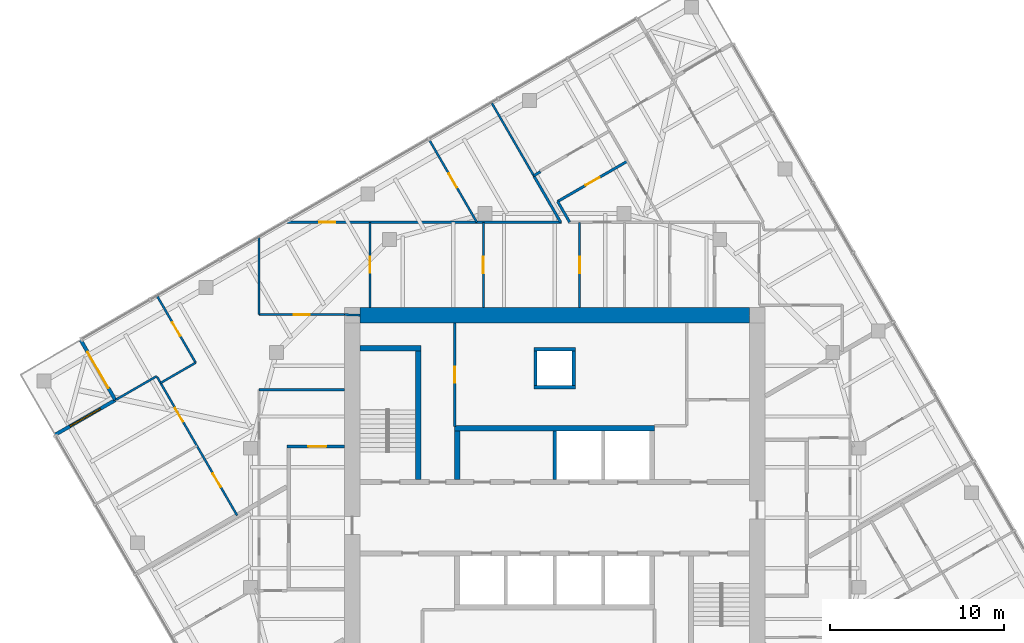
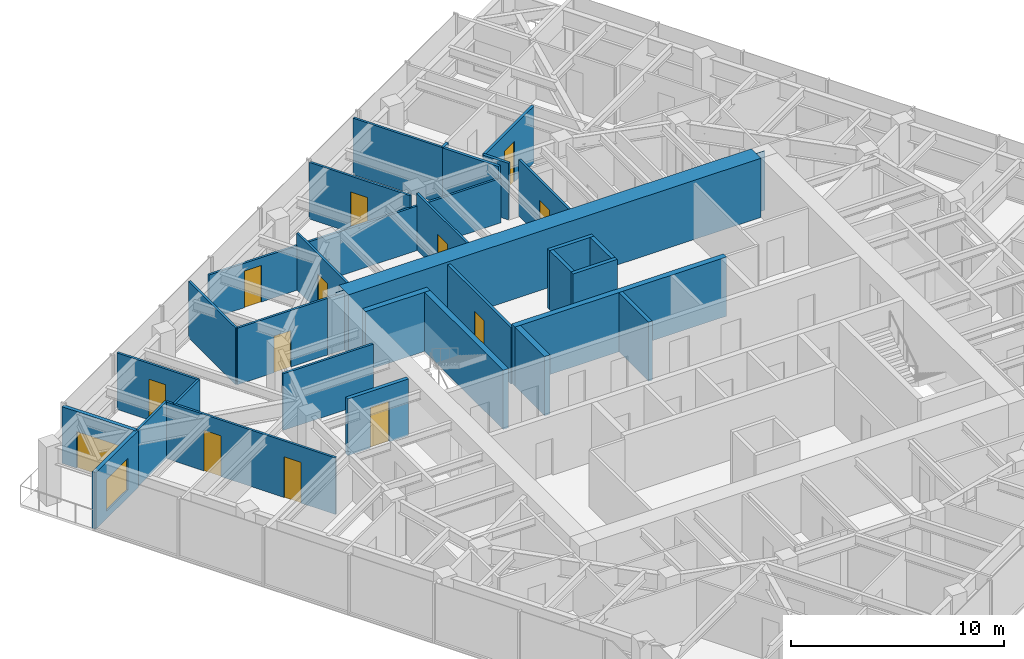
# One storey, part 10 of 13: 32 walls, 13 doors, 1 window, 14 openings.
"""IFC4 building model written with IfcOpenShell, lengths in metres."""

from ifc_helpers import new_model, si_unit, direction, frame, frame_2d, origin, place, context, subcontext, project, spatial, polyline, rectangle, outline, extrude, material, layer, layer_set, type_object, element, fill, save


model = new_model("IFC4")

# Units and contexts
model_context = context("Model", 3, precision=1e-05, world=origin(), true_north=direction((0.0, 1.0)))
body_context = subcontext(model_context, "Body", "Model", "MODEL_VIEW")
ifc_project = project(units=[si_unit("LENGTHUNIT", "METRE"), si_unit("AREAUNIT", "SQUARE_METRE"), si_unit("VOLUMEUNIT", "CUBIC_METRE"), si_unit("PLANEANGLEUNIT", "RADIAN"), si_unit("MASSUNIT", "GRAM", prefix="KILO")], contexts=[model_context])

# Site, building, storey
site_placement = place(None, origin())
site = spatial("IfcSite", under=ifc_project, at=site_placement, CompositionType="ELEMENT")
building_placement = place(site_placement, origin())
building = spatial("IfcBuilding", under=site, at=building_placement, Name="Torsade Residences", CompositionType="ELEMENT")
storey_placement = place(building_placement, frame((0.0, 0.0, 208.199951171875)))
storey = spatial("IfcBuildingStorey", under=building, at=storey_placement, Name="L57", CompositionType="ELEMENT", Elevation=208.199951171875)

# Walls
ifc_material_1 = material(Name="Concrete 80 MPa", Category="concrete")
ifc_layer_1 = layer(ifc_material_1, 0.300048828125)
ifc_layer_set_1 = layer_set([ifc_layer_1], Name="Concrete 80 MPa")
wall_type_1 = type_object("IfcWallType", Name="CORE INTERNAL WALL 300", PredefinedType="SHEAR", material=ifc_layer_set_1)
wall_1_placement = place(storey_placement, frame((34.25, 35.14990234375, 0.0), z_axis=(0.0, 0.0, 1.0), x_axis=(1.0, 0.0, 0.0)))
element("IfcWall", 1, at=wall_1_placement, inside=storey, type_object=wall_type_1, Name="Core wall BN L57", PredefinedType="SHEAR", context=body_context, shape_type="SweptSolid", body=[
    extrude(rectangle(XDim=11.5, YDim=0.300048828125, at=frame_2d((5.75, 0.0))), origin(), (0.0, 0.0, 1.0), 3.400146484375),
])
wall_2_placement = place(storey_placement, frame((34.39990234375, 32.199951171875, 0.0), z_axis=(0.0, 0.0, 1.0), x_axis=(0.0, 1.0, 0.0)))
element("IfcWall", 2, at=wall_2_placement, inside=storey, type_object=wall_type_1, Name="Core wall DN0 L57", PredefinedType="SHEAR", context=body_context, shape_type="SweptSolid", body=[
    extrude(rectangle(XDim=2.800048828125, YDim=0.300048828125, at=frame_2d((1.39990234375, 0.0))), origin(), (0.0, 0.0, 1.0), 3.400146484375),
])
wall_3_placement = place(storey_placement, frame((32.14990234375, 32.199951171875, 0.0), z_axis=(0.0, 0.0, 1.0), x_axis=(0.0, 1.0, 0.0)))
element("IfcWall", 3, at=wall_3_placement, inside=storey, type_object=wall_type_1, Name="Core wall ST1E L57", PredefinedType="SHEAR", context=body_context, shape_type="SweptSolid", body=[
    extrude(rectangle(XDim=7.699951171875, YDim=0.300048828125, at=frame_2d((3.85009765625, 0.0))), origin(), (0.0, 0.0, 1.0), 3.400146484375),
])
wall_4_placement = place(storey_placement, frame((28.800048828125, 39.75, 0.0), z_axis=(0.0, 0.0, 1.0), x_axis=(1.0, 0.0, 0.0)))
element("IfcWall", 4, at=wall_4_placement, inside=storey, type_object=wall_type_1, Name="Core wall ST1N L57", PredefinedType="SHEAR", context=body_context, shape_type="SweptSolid", body=[
    extrude(rectangle(XDim=3.5, YDim=0.300048828125, at=frame_2d((1.75, 0.0))), origin(), (0.0, 0.0, 1.0), 3.400146484375),
])
ifc_material_2 = material(Name="Concrete 80 MPa", Category="concrete")
ifc_layer_2 = layer(ifc_material_2, 0.89990234375)
ifc_layer_set_2 = layer_set([ifc_layer_2], Name="Concrete 80 MPa")
wall_type_2 = type_object("IfcWallType", Name="CORE WALL 900", PredefinedType="SHEAR", material=ifc_layer_set_2)
wall_5_placement = place(storey_placement, frame((28.800048828125, 41.64990234375, 0.0), z_axis=(0.0, 0.0, 1.0), x_axis=(1.0, 0.0, 0.0)))
element("IfcWall", 5, at=wall_5_placement, inside=storey, type_object=wall_type_2, Name="Core wall N L57", PredefinedType="SHEAR", context=body_context, shape_type="SweptSolid", body=[
    extrude(outline(polyline([(0.0, -0.449951171875), (22.39990234375, -0.449951171875), (22.39990234375, -0.02490234375), (22.849853515625, -0.02490234375), (22.849853515625, 0.02490234375), (22.39990234375, 0.02490234375), (22.39990234375, 0.449951171875), (0.0, 0.449951171875), (0.0, 0.02490234375), (-0.449951171875, 0.02490234375), (-0.449951171875, -0.02490234375), (0.0, -0.02490234375), (0.0, -0.449951171875)])), origin(), (0.0, 0.0, 1.0), 3.400146484375),
])

# Wall, opening, door
ifc_material_3 = material(Name="Plasterboard on steel stud", Category="steel")
ifc_layer_3 = layer(ifc_material_3, 0.199951171875)
ifc_layer_set_3 = layer_set([ifc_layer_3], Name="Plasterboard on steel stud")
wall_type_3 = type_object("IfcWallType", Name="CORRIDOR WALL 200", PredefinedType="PARTITIONING", material=ifc_layer_set_3)
wall_6_placement = place(storey_placement, frame((27.89990234375, 34.10009765625, 0.0), z_axis=(0.0, 0.0, 1.0), x_axis=(-1.0, 0.0, 0.0)))
wall_6 = element("IfcWall", 6, at=wall_6_placement, inside=storey, type_object=wall_type_3, Name="Corridor wall L57", PredefinedType="PARTITIONING", context=body_context, shape_type="SweptSolid", body=[
    extrude(rectangle(XDim=3.2998046875, YDim=0.199951171875, at=frame_2d((1.64990234375, 0.0))), origin(), (0.0, 0.0, 1.0), 3.25),
])
opening_1_placement = place(wall_6_placement, frame((1.0400390625, 0.0, 0.0)))
opening_1 = element("IfcOpeningElement", 7, at=opening_1_placement, cuts=wall_6, Name="Opening D01", PredefinedType="OPENING", context=body_context, shape_type="SweptSolid", body=[
    extrude(rectangle(XDim=1.02001953125, YDim=2.340087890625, at=frame_2d((0.510009765625, 1.169921875))), frame((0.0, 0.10986328125, 0.0), z_axis=(0.0, -1.0, 0.0), x_axis=(1.0, 0.0, 0.0)), (0.0, 0.0, 1.0), 0.219970703125),
])
ifc_material_4 = material(Name="Solid-core timber fire door", Category="wood")
door_type_1 = type_object("IfcDoorType", Name="APARTMENT ENTRY DOOR 1020x2340", OperationType="NOTDEFINED", PredefinedType="DOOR", material=ifc_material_4)
door_1_placement = place(opening_1_placement, origin())
door_1 = element("IfcDoor", 8, at=door_1_placement, inside=storey, type_object=door_type_1, Name="Door Residential corridor to Kitchen and dining", OperationType="SINGLE_SWING_RIGHT", OverallHeight=2.340087890625, OverallWidth=1.02001953125, PredefinedType="DOOR", context=body_context, shape_type="SweptSolid", body=[
    extrude(rectangle(XDim=1.02001953125, YDim=2.340087890625, at=frame_2d((0.510009765625, 1.169921875))), frame((0.0, 0.02490234375, 0.0), z_axis=(0.0, -1.0, 0.0), x_axis=(1.0, 0.0, 0.0)), (0.0, 0.0, 1.0), 0.050048828125),
])
fill(opening_1, door_1)

# Walls
ifc_material_5 = material(Name="Reinforced blockwork", Category="masonry")
ifc_layer_4 = layer(ifc_material_5, 0.199951171875)
ifc_layer_set_4 = layer_set([ifc_layer_4], Name="Reinforced blockwork")
wall_type_4 = type_object("IfcWallType", Name="LIFT SHAFT DIVIDING WALL 200", PredefinedType="SOLIDWALL", material=ifc_layer_set_4)
wall_7_placement = place(storey_placement, frame((40.0, 32.199951171875, 0.0), z_axis=(0.0, 0.0, 1.0), x_axis=(0.0, 1.0, 0.0)))
element("IfcWall", 9, at=wall_7_placement, inside=storey, type_object=wall_type_4, Name="Core wall DN2 L57", PredefinedType="SOLIDWALL", context=body_context, shape_type="SweptSolid", body=[
    extrude(rectangle(XDim=2.800048828125, YDim=0.199951171875, at=frame_2d((1.39990234375, 0.0))), origin(), (0.0, 0.0, 1.0), 3.400146484375),
])
ifc_material_6 = material(Name="Plasterboard on steel stud", Category="steel")
ifc_layer_5 = layer(ifc_material_6, 0.1201171875)
ifc_layer_set_5 = layer_set([ifc_layer_5], Name="Plasterboard on steel stud")
wall_type_5 = type_object("IfcWallType", Name="PARTITION 120", PredefinedType="PARTITIONING", material=ifc_layer_set_5)
wall_8_placement = place(storey_placement, frame((23.0, 37.365478515625, 0.0), z_axis=(0.0, 0.0, 1.0), x_axis=(1.0, 0.0, 0.0)))
element("IfcWall", 10, at=wall_8_placement, inside=storey, type_object=wall_type_5, Name="Partition L57", PredefinedType="PARTITIONING", context=body_context, shape_type="SweptSolid", body=[
    extrude(rectangle(XDim=4.89990234375, YDim=0.1201171875, at=frame_2d((2.449951171875, 0.0))), origin(), (0.0, 0.0, 1.0), 3.25),
])

# Wall, opening, door
wall_9_placement = place(storey_placement, frame((29.380615234375, 47.0, 0.0), z_axis=(0.0, 0.0, 1.0), x_axis=(0.0, -1.0, 0.0)))
wall_9 = element("IfcWall", 11, at=wall_9_placement, inside=storey, type_object=wall_type_5, Name="Partition L57", PredefinedType="PARTITIONING", context=body_context, shape_type="SweptSolid", body=[
    extrude(rectangle(XDim=4.89990234375, YDim=0.1201171875, at=frame_2d((2.449951171875, 0.0))), origin(), (0.0, 0.0, 1.0), 3.25),
])
opening_2_placement = place(wall_9_placement, frame((1.989990234375, 0.0, 0.0)))
opening_2 = element("IfcOpeningElement", 12, at=opening_2_placement, cuts=wall_9, Name="Opening D02L", PredefinedType="OPENING", context=body_context, shape_type="SweptSolid", body=[
    extrude(rectangle(XDim=0.919921875, YDim=2.10009765625, at=frame_2d((0.4599609375, 1.050048828125))), frame((0.0, 0.070068359375, 0.0), z_axis=(0.0, -1.0, 0.0), x_axis=(1.0, 0.0, 0.0)), (0.0, 0.0, 1.0), 0.14013671875),
])
ifc_material_7 = material(Name="Hollow-core timber door", Category="wood")
door_type_2 = type_object("IfcDoorType", Name="INTERNAL DOOR 920x2100", OperationType="NOTDEFINED", PredefinedType="DOOR", material=ifc_material_7)
door_2_placement = place(opening_2_placement, origin())
door_2 = element("IfcDoor", 13, at=door_2_placement, inside=storey, type_object=door_type_2, Name="Door Scullery to Pantry", OperationType="SINGLE_SWING_LEFT", OverallHeight=2.10009765625, OverallWidth=0.919921875, PredefinedType="DOOR", context=body_context, shape_type="SweptSolid", body=[
    extrude(rectangle(XDim=0.919921875, YDim=2.10009765625, at=frame_2d((0.4599609375, 1.050048828125))), frame((0.0, 0.02490234375, 0.0), z_axis=(0.0, -1.0, 0.0), x_axis=(1.0, 0.0, 0.0)), (0.0, 0.0, 1.0), 0.050048828125),
])
fill(opening_2, door_2)

wall_10_placement = place(storey_placement, frame((27.89990234375, 41.686767578125, 0.0), z_axis=(0.0, 0.0, 1.0), x_axis=(-1.0, 0.0, 0.0)))
wall_10 = element("IfcWall", 14, at=wall_10_placement, inside=storey, type_object=wall_type_5, Name="Partition L57", PredefinedType="PARTITIONING", context=body_context, shape_type="SweptSolid", body=[
    extrude(rectangle(XDim=4.89990234375, YDim=0.1201171875, at=frame_2d((2.449951171875, 0.0))), origin(), (0.0, 0.0, 1.0), 3.25),
])
opening_3_placement = place(wall_10_placement, frame((1.989990234375, 0.0, 0.0)))
opening_3 = element("IfcOpeningElement", 15, at=opening_3_placement, cuts=wall_10, Name="Opening D02L", PredefinedType="OPENING", context=body_context, shape_type="SweptSolid", body=[
    extrude(rectangle(XDim=0.919921875, YDim=2.10009765625, at=frame_2d((0.4599609375, 1.050048828125))), frame((0.0, 0.070068359375, 0.0), z_axis=(0.0, -1.0, 0.0), x_axis=(1.0, 0.0, 0.0)), (0.0, 0.0, 1.0), 0.14013671875),
])
door_3_placement = place(opening_3_placement, origin())
door_3 = element("IfcDoor", 16, at=door_3_placement, inside=storey, type_object=door_type_2, Name="Door Living room to Scullery", OperationType="SINGLE_SWING_LEFT", OverallHeight=2.10009765625, OverallWidth=0.919921875, PredefinedType="DOOR", context=body_context, shape_type="SweptSolid", body=[
    extrude(rectangle(XDim=0.919921875, YDim=2.10009765625, at=frame_2d((0.4599609375, 1.050048828125))), frame((0.0, 0.02490234375, 0.0), z_axis=(0.0, -1.0, 0.0), x_axis=(1.0, 0.0, 0.0)), (0.0, 0.0, 1.0), 0.050048828125),
])
fill(opening_3, door_3)

# Wall
wall_11_placement = place(storey_placement, frame((23.0, 41.686767578125, 0.0), z_axis=(0.0, 0.0, 1.0), x_axis=(0.0, 1.0, 0.0)))
element("IfcWall", 17, at=wall_11_placement, inside=storey, type_object=wall_type_5, Name="Partition L57", PredefinedType="PARTITIONING", context=body_context, shape_type="SweptSolid", body=[
    extrude(rectangle(XDim=4.432861328125, YDim=0.1201171875, at=frame_2d((2.21630859375, 0.0))), origin(), (0.0, 0.0, 1.0), 3.25),
])

# Wall, opening, door
wall_12_placement = place(storey_placement, frame((24.52490234375, 47.0, 0.0), z_axis=(0.0, 0.0, 1.0), x_axis=(1.0, 0.0, 0.0)))
wall_12 = element("IfcWall", 18, at=wall_12_placement, inside=storey, type_object=wall_type_5, Name="Partition L57", PredefinedType="PARTITIONING", context=body_context, shape_type="SweptSolid", body=[
    extrude(rectangle(XDim=15.879150390625, YDim=0.1201171875, at=frame_2d((7.939453125, 0.0))), origin(), (0.0, 0.0, 1.0), 2.550048828125),
])
opening_4_placement = place(wall_12_placement, frame((1.927978515625, 0.0, 0.0)))
opening_4 = element("IfcOpeningElement", 19, at=opening_4_placement, cuts=wall_12, Name="Opening D02L", PredefinedType="OPENING", context=body_context, shape_type="SweptSolid", body=[
    extrude(rectangle(XDim=0.919921875, YDim=2.10009765625, at=frame_2d((0.4599609375, 1.050048828125))), frame((0.0, 0.070068359375, 0.0), z_axis=(0.0, -1.0, 0.0), x_axis=(1.0, 0.0, 0.0)), (0.0, 0.0, 1.0), 0.14013671875),
])
door_4_placement = place(opening_4_placement, origin())
door_4 = element("IfcDoor", 20, at=door_4_placement, inside=storey, type_object=door_type_2, Name="Door Scullery to Study", OperationType="SINGLE_SWING_RIGHT", OverallHeight=2.10009765625, OverallWidth=0.919921875, PredefinedType="DOOR", context=body_context, shape_type="SweptSolid", body=[
    extrude(rectangle(XDim=0.919921875, YDim=2.10009765625, at=frame_2d((0.4599609375, 1.050048828125))), frame((0.0, 0.02490234375, 0.0), z_axis=(0.0, -1.0, 0.0), x_axis=(1.0, 0.0, 0.0)), (0.0, 0.0, 1.0), 0.050048828125),
])
fill(opening_4, door_4)

wall_13_placement = place(storey_placement, frame((35.90087890625, 47.0, 0.0), z_axis=(0.0, 0.0, 1.0), x_axis=(0.0, -1.0, 0.0)))
wall_13 = element("IfcWall", 21, at=wall_13_placement, inside=storey, type_object=wall_type_5, Name="Partition L57", PredefinedType="PARTITIONING", context=body_context, shape_type="SweptSolid", body=[
    extrude(rectangle(XDim=4.89990234375, YDim=0.1201171875, at=frame_2d((2.449951171875, 0.0))), origin(), (0.0, 0.0, 1.0), 3.25),
])
opening_5_placement = place(wall_13_placement, frame((1.969970703125, 0.0, 0.0)))
opening_5 = element("IfcOpeningElement", 22, at=opening_5_placement, cuts=wall_13, Name="Opening D05", PredefinedType="OPENING", context=body_context, shape_type="SweptSolid", body=[
    extrude(rectangle(XDim=0.9599609375, YDim=2.10009765625, at=frame_2d((0.47998046875, 1.050048828125))), frame((0.0, 0.070068359375, 0.0), z_axis=(0.0, -1.0, 0.0), x_axis=(1.0, 0.0, 0.0)), (0.0, 0.0, 1.0), 0.14013671875),
])
ifc_material_8 = material(Name="Hollow-core timber door in a steel cavity frame", Category="steel")
door_type_3 = type_object("IfcDoorType", Name="BATHROOM CAVITY SLIDING DOOR 960", OperationType="SLIDING_TO_LEFT", PredefinedType="DOOR", material=ifc_material_8)
door_5_placement = place(opening_5_placement, origin())
door_5 = element("IfcDoor", 23, at=door_5_placement, inside=storey, type_object=door_type_3, Name="Door Pantry to Laundry", OperationType="SLIDING_TO_LEFT", OverallHeight=2.10009765625, OverallWidth=0.9599609375, PredefinedType="DOOR", context=body_context, shape_type="SweptSolid", body=[
    extrude(rectangle(XDim=0.9599609375, YDim=2.10009765625, at=frame_2d((0.47998046875, 1.050048828125))), frame((0.0, 0.02490234375, 0.0), z_axis=(0.0, -1.0, 0.0), x_axis=(1.0, 0.0, 0.0)), (0.0, 0.0, 1.0), 0.050048828125),
])
fill(opening_5, door_5)

wall_14_placement = place(storey_placement, frame((41.44287109375, 42.10009765625, 0.0), z_axis=(0.0, 0.0, 1.0), x_axis=(0.0, 1.0, 0.0)))
wall_14 = element("IfcWall", 24, at=wall_14_placement, inside=storey, type_object=wall_type_5, Name="Partition L57", PredefinedType="PARTITIONING", context=body_context, shape_type="SweptSolid", body=[
    extrude(rectangle(XDim=4.89990234375, YDim=0.1201171875, at=frame_2d((2.449951171875, 0.0))), origin(), (0.0, 0.0, 1.0), 3.25),
])
opening_6_placement = place(wall_14_placement, frame((1.969970703125, 0.0, 0.0)))
opening_6 = element("IfcOpeningElement", 25, at=opening_6_placement, cuts=wall_14, Name="Opening D05", PredefinedType="OPENING", context=body_context, shape_type="SweptSolid", body=[
    extrude(rectangle(XDim=0.9599609375, YDim=2.10009765625, at=frame_2d((0.47998046875, 1.050048828125))), frame((0.0, 0.070068359375, 0.0), z_axis=(0.0, -1.0, 0.0), x_axis=(1.0, 0.0, 0.0)), (0.0, 0.0, 1.0), 0.14013671875),
])
door_6_placement = place(opening_6_placement, origin())
door_6 = element("IfcDoor", 26, at=door_6_placement, inside=storey, type_object=door_type_3, Name="Door Laundry to Ensuite", OperationType="SLIDING_TO_LEFT", OverallHeight=2.10009765625, OverallWidth=0.9599609375, PredefinedType="DOOR", context=body_context, shape_type="SweptSolid", body=[
    extrude(rectangle(XDim=0.9599609375, YDim=2.10009765625, at=frame_2d((0.47998046875, 1.050048828125))), frame((0.0, 0.02490234375, 0.0), z_axis=(0.0, -1.0, 0.0), x_axis=(1.0, 0.0, 0.0)), (0.0, 0.0, 1.0), 0.050048828125),
])
fill(opening_6, door_6)

# Wall, openings, doors
wall_15_placement = place(storey_placement, frame((21.732666015625, 30.13427734375, 0.0), z_axis=(0.0, 0.0, 1.0), x_axis=(-0.500019218905, 0.86601430746, 0.0)))
wall_15 = element("IfcWall", 27, at=wall_15_placement, inside=storey, type_object=wall_type_5, Name="Partition L57", PredefinedType="PARTITIONING", context=body_context, shape_type="SweptSolid", body=[
    extrude(rectangle(XDim=9.210205078125, YDim=0.1201171875, at=frame_2d((4.60498046875, 0.0))), origin(), (0.0, 0.0, 1.0), 3.25),
])
opening_7_placement = place(wall_15_placement, frame((1.87744140625, 0.0, 0.0)))
opening_7 = element("IfcOpeningElement", 28, at=opening_7_placement, cuts=wall_15, Name="Opening D02", PredefinedType="OPENING", context=body_context, shape_type="SweptSolid", body=[
    extrude(rectangle(XDim=0.919921875, YDim=2.340087890625, at=frame_2d((0.4599609375, 1.169921875))), frame((0.0, 0.070068359375, 0.0), z_axis=(0.0, -1.0, 0.0), x_axis=(1.0, 0.0, 0.0)), (0.0, 0.0, 1.0), 0.14013671875),
])
opening_8_placement = place(wall_15_placement, frame((6.2275390625, 0.0, 0.0)))
opening_8 = element("IfcOpeningElement", 29, at=opening_8_placement, cuts=wall_15, Name="Opening D02", PredefinedType="OPENING", context=body_context, shape_type="SweptSolid", body=[
    extrude(rectangle(XDim=0.919921875, YDim=2.340087890625, at=frame_2d((0.4599609375, 1.169921875))), frame((0.0, 0.070068359375, 0.0), z_axis=(0.0, -1.0, 0.0), x_axis=(1.0, 0.0, 0.0)), (0.0, 0.0, 1.0), 0.14013671875),
])
ifc_material_9 = material(Name="Hollow-core timber door", Category="wood")
door_type_4 = type_object("IfcDoorType", Name="INTERNAL DOOR 920x2340", OperationType="NOTDEFINED", PredefinedType="DOOR", material=ifc_material_9)
door_7_placement = place(opening_7_placement, origin())
door_7 = element("IfcDoor", 30, at=door_7_placement, inside=storey, type_object=door_type_4, Name="Door Living room to Bedroom 3", OperationType="SINGLE_SWING_RIGHT", OverallHeight=2.340087890625, OverallWidth=0.919921875, PredefinedType="DOOR", context=body_context, shape_type="SweptSolid", body=[
    extrude(rectangle(XDim=0.919921875, YDim=2.340087890625, at=frame_2d((0.4599609375, 1.169921875))), frame((0.0, 0.02490234375, 0.0), z_axis=(0.0, -1.0, 0.0), x_axis=(1.0, 0.0, 0.0)), (0.0, 0.0, 1.0), 0.050048828125),
])
fill(opening_7, door_7)
door_8_placement = place(opening_8_placement, origin())
door_8 = element("IfcDoor", 31, at=door_8_placement, inside=storey, type_object=door_type_4, Name="Door Living room to Bedroom 4", OperationType="SINGLE_SWING_LEFT", OverallHeight=2.340087890625, OverallWidth=0.919921875, PredefinedType="DOOR", context=body_context, shape_type="SweptSolid", body=[
    extrude(rectangle(XDim=0.919921875, YDim=2.340087890625, at=frame_2d((0.4599609375, 1.169921875))), frame((0.0, 0.02490234375, 0.0), z_axis=(0.0, -1.0, 0.0), x_axis=(1.0, 0.0, 0.0)), (0.0, 0.0, 1.0), 0.050048828125),
])
fill(opening_8, door_8)

# Wall
wall_16_placement = place(storey_placement, frame((17.33251953125, 37.75537109375, 0.0), z_axis=(0.0, 0.0, 1.0), x_axis=(0.866059848015, 0.499940336097, 0.0)))
element("IfcWall", 32, at=wall_16_placement, inside=storey, type_object=wall_type_5, Name="Partition L57", PredefinedType="PARTITIONING", context=body_context, shape_type="SweptSolid", body=[
    extrude(rectangle(XDim=2.327880859375, YDim=0.1201171875, at=frame_2d((1.1640625, 0.0))), origin(), (0.0, 0.0, 1.0), 3.25),
])

# Wall, opening, door
wall_17_placement = place(storey_placement, frame((19.3486328125, 38.919189453125, 0.0), z_axis=(0.0, 0.0, 1.0), x_axis=(-0.499997192861, 0.866027024481, 0.0)))
wall_17 = element("IfcWall", 33, at=wall_17_placement, inside=storey, type_object=wall_type_5, Name="Partition L57", PredefinedType="PARTITIONING", context=body_context, shape_type="SweptSolid", body=[
    extrude(rectangle(XDim=4.41015625, YDim=0.1201171875, at=frame_2d((2.205078125, 0.0))), origin(), (0.0, 0.0, 1.0), 3.25),
])
opening_9_placement = place(wall_17_placement, frame((1.764892578125, 0.0, 0.0)))
opening_9 = element("IfcOpeningElement", 34, at=opening_9_placement, cuts=wall_17, Name="Opening D02", PredefinedType="OPENING", context=body_context, shape_type="SweptSolid", body=[
    extrude(rectangle(XDim=0.919921875, YDim=2.340087890625, at=frame_2d((0.4599609375, 1.169921875))), frame((0.0, 0.070068359375, 0.0), z_axis=(0.0, -1.0, 0.0), x_axis=(1.0, 0.0, 0.0)), (0.0, 0.0, 1.0), 0.14013671875),
])
door_9_placement = place(opening_9_placement, origin())
door_9 = element("IfcDoor", 35, at=door_9_placement, inside=storey, type_object=door_type_4, Name="Door Living room to Media room 2", OperationType="SINGLE_SWING_LEFT", OverallHeight=2.340087890625, OverallWidth=0.919921875, PredefinedType="DOOR", context=body_context, shape_type="SweptSolid", body=[
    extrude(rectangle(XDim=0.919921875, YDim=2.340087890625, at=frame_2d((0.4599609375, 1.169921875))), frame((0.0, 0.02490234375, 0.0), z_axis=(0.0, -1.0, 0.0), x_axis=(1.0, 0.0, 0.0)), (0.0, 0.0, 1.0), 0.050048828125),
])
fill(opening_9, door_9)

wall_18_placement = place(storey_placement, frame((35.525390625, 47.0, 0.0), z_axis=(0.0, 0.0, 1.0), x_axis=(-0.49997732567, 0.866038494419, 0.0)))
wall_18 = element("IfcWall", 36, at=wall_18_placement, inside=storey, type_object=wall_type_5, Name="Partition L57", PredefinedType="PARTITIONING", context=body_context, shape_type="SweptSolid", body=[
    extrude(rectangle(XDim=5.500244140625, YDim=0.1201171875, at=frame_2d((2.75, 0.0))), origin(), (0.0, 0.0, 1.0), 3.25),
])
opening_10_placement = place(wall_18_placement, frame((2.31005859375, 0.0, 0.0)))
opening_10 = element("IfcOpeningElement", 37, at=opening_10_placement, cuts=wall_18, Name="Opening D02", PredefinedType="OPENING", context=body_context, shape_type="SweptSolid", body=[
    extrude(rectangle(XDim=0.919921875, YDim=2.340087890625, at=frame_2d((0.4599609375, 1.169921875))), frame((0.0, 0.070068359375, 0.0), z_axis=(0.0, -1.0, 0.0), x_axis=(1.0, 0.0, 0.0)), (0.0, 0.0, 1.0), 0.14013671875),
])
door_10_placement = place(opening_10_placement, origin())
door_10 = element("IfcDoor", 38, at=door_10_placement, inside=storey, type_object=door_type_4, Name="Door Study to Bedroom 2", OperationType="SINGLE_SWING_LEFT", OverallHeight=2.340087890625, OverallWidth=0.919921875, PredefinedType="DOOR", context=body_context, shape_type="SweptSolid", body=[
    extrude(rectangle(XDim=0.919921875, YDim=2.340087890625, at=frame_2d((0.4599609375, 1.169921875))), frame((0.0, 0.02490234375, 0.0), z_axis=(0.0, -1.0, 0.0), x_axis=(1.0, 0.0, 0.0)), (0.0, 0.0, 1.0), 0.050048828125),
])
fill(opening_10, door_10)

# Walls
wall_19_placement = place(storey_placement, frame((36.390869140625, 53.850830078125, 0.0), z_axis=(0.0, 0.0, 1.0), x_axis=(0.500036734544, -0.866004194047, 0.0)))
element("IfcWall", 39, at=wall_19_placement, inside=storey, type_object=wall_type_5, Name="Partition L57", PredefinedType="PARTITIONING", context=body_context, shape_type="SweptSolid", body=[
    extrude(rectangle(XDim=4.864013671875, YDim=0.1201171875, at=frame_2d((2.43212890625, 0.0))), origin(), (0.0, 0.0, 1.0), 3.25),
])
wall_20_placement = place(storey_placement, frame((14.76318359375, 36.79150390625, 0.0), z_axis=(0.0, 0.0, 1.0), x_axis=(0.86601436245, 0.500019123664, 0.0)))
element("IfcWall", 40, at=wall_20_placement, inside=storey, type_object=wall_type_5, Name="Partition L57", PredefinedType="PARTITIONING", context=body_context, shape_type="SweptSolid", body=[
    extrude(rectangle(XDim=2.70703125, YDim=0.1201171875, at=frame_2d((1.353515625, 0.0))), origin(), (0.0, 0.0, 1.0), 3.25),
])
wall_21_placement = place(storey_placement, frame((27.89990234375, 41.686767578125, 0.0), z_axis=(0.0, 0.0, 1.0), x_axis=(0.999162409553, -0.040920402453, 0.0)))
element("IfcWall", 41, at=wall_21_placement, inside=storey, type_object=wall_type_5, Name="Partition L57", PredefinedType="PARTITIONING", context=body_context, shape_type="SweptSolid", body=[
    extrude(rectangle(XDim=0.90087890625, YDim=0.1201171875, at=frame_2d((0.450439453125, 0.0))), origin(), (0.0, 0.0, 1.0), 3.25),
])
ifc_material_10 = material(Name="Reinforced blockwork", Category="masonry")
ifc_layer_6 = layer(ifc_material_10, 0.199951171875)
ifc_layer_set_6 = layer_set([ifc_layer_6], Name="Reinforced blockwork")
wall_type_6 = type_object("IfcWallType", Name="RISER SHAFT WALL 200", PredefinedType="SOLIDWALL", material=ifc_layer_set_6)
for number, where, z_axis, x_axis, name in (
    (42, (38.89990234375, 37.60009765625, 0.0), (0.0, 0.0, 1.0), (0.0, 1.0, 0.0), "Core wall RS1a L57"),
    (43, (41.10009765625, 37.60009765625, 0.0), (0.0, 0.0, 1.0), (0.0, 1.0, 0.0), "Core wall RS1b L57"),
):
    element("IfcWall", number, at=place(storey_placement, frame(where, z_axis=z_axis, x_axis=x_axis)), inside=storey, type_object=wall_type_6, Name=name, PredefinedType="SOLIDWALL", context=body_context, shape_type="SweptSolid", body=[
        extrude(rectangle(XDim=2.0, YDim=0.199951171875, at=frame_2d((1.0, 0.0))), origin(), (0.0, 0.0, 1.0), 3.400146484375),
    ])
for number, where, z_axis, x_axis, name in (
    (44, (38.800048828125, 37.5, 0.0), (0.0, 0.0, 1.0), (1.0, 0.0, 0.0), "Core wall RS1c L57"),
    (45, (38.800048828125, 39.699951171875, 0.0), (0.0, 0.0, 1.0), (1.0, 0.0, 0.0), "Core wall RS1d L57"),
):
    element("IfcWall", number, at=place(storey_placement, frame(where, z_axis=z_axis, x_axis=x_axis)), inside=storey, type_object=wall_type_6, Name=name, PredefinedType="SOLIDWALL", context=body_context, shape_type="SweptSolid", body=[
        extrude(rectangle(XDim=2.39990234375, YDim=0.199951171875, at=frame_2d((1.199951171875, 0.0))), origin(), (0.0, 0.0, 1.0), 3.400146484375),
    ])

# Wall, opening, door
ifc_material_11 = material(Name="Reinforced blockwork", Category="masonry")
ifc_layer_7 = layer(ifc_material_11, 0.14990234375)
ifc_layer_set_7 = layer_set([ifc_layer_7], Name="Reinforced blockwork")
wall_type_7 = type_object("IfcWallType", Name="SERVICE ROOM WALL 150", PredefinedType="SOLIDWALL", material=ifc_layer_set_7)
wall_22_placement = place(storey_placement, frame((34.25, 41.199951171875, 0.0), z_axis=(0.0, 0.0, 1.0), x_axis=(0.0, -1.0, 0.0)))
wall_22 = element("IfcWall", 46, at=wall_22_placement, inside=storey, type_object=wall_type_7, Name="Service room wall L57", PredefinedType="SOLIDWALL", context=body_context, shape_type="SweptSolid", body=[
    extrude(rectangle(XDim=5.949951171875, YDim=0.14990234375, at=frame_2d((2.97509765625, 0.0))), origin(), (0.0, 0.0, 1.0), 3.25),
])
opening_11_placement = place(wall_22_placement, frame((2.514892578125, 0.0, 0.0)))
opening_11 = element("IfcOpeningElement", 47, at=opening_11_placement, cuts=wall_22, Name="Opening D06", PredefinedType="OPENING", context=body_context, shape_type="SweptSolid", body=[
    extrude(rectangle(XDim=0.919921875, YDim=2.10009765625, at=frame_2d((0.4599609375, 1.050048828125))), frame((0.0, 0.0849609375, 0.0), z_axis=(0.0, -1.0, 0.0), x_axis=(1.0, 0.0, 0.0)), (0.0, 0.0, 1.0), 0.169921875),
])
ifc_material_12 = material(Name="Steel-framed fire door", Category="steel")
door_type_5 = type_object("IfcDoorType", Name="FIRE DOOR 920", OperationType="NOTDEFINED", PredefinedType="DOOR", material=ifc_material_12)
door_11_placement = place(opening_11_placement, origin())
door_11 = element("IfcDoor", 48, at=door_11_placement, inside=storey, type_object=door_type_5, Name="Door Meter store to Electrical riser room", OperationType="SINGLE_SWING_RIGHT", OverallHeight=2.10009765625, OverallWidth=0.919921875, PredefinedType="DOOR", context=body_context, shape_type="SweptSolid", body=[
    extrude(rectangle(XDim=0.919921875, YDim=2.10009765625, at=frame_2d((0.4599609375, 1.050048828125))), frame((0.0, 0.02490234375, 0.0), z_axis=(0.0, -1.0, 0.0), x_axis=(1.0, 0.0, 0.0)), (0.0, 0.0, 1.0), 0.050048828125),
])
fill(opening_11, door_11)

# Walls
wall_23_placement = place(storey_placement, frame((38.822998046875, 49.638671875, 0.0), z_axis=(0.0, 0.0, 1.0), x_axis=(0.499999897272, -0.866025463095, 0.0)))
element("IfcWall", 49, at=wall_23_placement, inside=storey, type_object=wall_type_7, Name="Service room wall L57", PredefinedType="SOLIDWALL", context=body_context, shape_type="SweptSolid", body=[
    extrude(rectangle(XDim=3.046875, YDim=0.14990234375, at=frame_2d((1.5234375, 0.0))), origin(), (0.0, 0.0, 1.0), 3.25),
])
wall_24_placement = place(storey_placement, frame((39.187744140625, 49.906982421875, 0.0), z_axis=(0.0, 0.0, 1.0), x_axis=(-0.865896406789, -0.500223362819, 0.0)))
element("IfcWall", 50, at=wall_24_placement, inside=storey, type_object=wall_type_7, Name="Service room wall L57", PredefinedType="SOLIDWALL", context=body_context, shape_type="SweptSolid", body=[
    extrude(rectangle(XDim=0.449951171875, YDim=0.14990234375, at=frame_2d((0.22509765625, 0.0))), origin(), (0.0, 0.0, 1.0), 3.25),
])
wall_25_placement = place(storey_placement, frame((40.865966796875, 47.0, 0.0), z_axis=(0.0, 0.0, 1.0), x_axis=(-0.499941797271, 0.866059004538, 0.0)))
element("IfcWall", 51, at=wall_25_placement, inside=storey, type_object=wall_type_7, Name="Service room wall L57", PredefinedType="SOLIDWALL", context=body_context, shape_type="SweptSolid", body=[
    extrude(rectangle(XDim=1.381103515625, YDim=0.14990234375, at=frame_2d((0.6904296875, 0.0))), origin(), (0.0, 0.0, 1.0), 3.25),
])

# Wall, opening, door
wall_26_placement = place(storey_placement, frame((40.175537109375, 48.196044921875, 0.0), z_axis=(0.0, 0.0, 1.0), x_axis=(0.866025598446, 0.499999662836, 0.0)))
wall_26 = element("IfcWall", 52, at=wall_26_placement, inside=storey, type_object=wall_type_7, Name="Service room wall L57", PredefinedType="SOLIDWALL", context=body_context, shape_type="SweptSolid", body=[
    extrude(rectangle(XDim=4.625, YDim=0.14990234375, at=frame_2d((2.3125, 0.0))), origin(), (0.0, 0.0, 1.0), 3.25),
])
opening_12_placement = place(wall_26_placement, frame((1.8525390625, 0.0, 0.0)))
opening_12 = element("IfcOpeningElement", 53, at=opening_12_placement, cuts=wall_26, Name="Opening D02", PredefinedType="OPENING", context=body_context, shape_type="SweptSolid", body=[
    extrude(rectangle(XDim=0.919921875, YDim=2.340087890625, at=frame_2d((0.4599609375, 1.169921875))), frame((0.0, 0.0849609375, 0.0), z_axis=(0.0, -1.0, 0.0), x_axis=(1.0, 0.0, 0.0)), (0.0, 0.0, 1.0), 0.169921875),
])
door_12_placement = place(opening_12_placement, origin())
door_12 = element("IfcDoor", 54, at=door_12_placement, inside=storey, type_object=door_type_4, Name="Door Walk-in robe 2 to Linen store 2", OperationType="SINGLE_SWING_RIGHT", OverallHeight=2.340087890625, OverallWidth=0.919921875, PredefinedType="DOOR", context=body_context, shape_type="SweptSolid", body=[
    extrude(rectangle(XDim=0.919921875, YDim=2.340087890625, at=frame_2d((0.4599609375, 1.169921875))), frame((0.0, 0.02490234375, 0.0), z_axis=(0.0, -1.0, 0.0), x_axis=(1.0, 0.0, 0.0)), (0.0, 0.0, 1.0), 0.050048828125),
])
fill(opening_12, door_12)

ifc_material_13 = material(Name="Stone-faced precast concrete 40 MPa panel", Category="masonry")
ifc_layer_8 = layer(ifc_material_13, 0.199951171875)
ifc_layer_set_8 = layer_set([ifc_layer_8], Name="Stone-faced precast concrete 40 MPa panel")
wall_type_8 = type_object("IfcWallType", Name="TERRACE WALL 200", PredefinedType="SOLIDWALL", material=ifc_layer_set_8)
wall_27_placement = place(storey_placement, frame((12.728515625, 40.235595703125, 0.0), z_axis=(0.0, 0.0, 1.0), x_axis=(0.49999894854, -0.866026010844, 0.0)))
wall_27 = element("IfcWall", 55, at=wall_27_placement, inside=storey, type_object=wall_type_8, Name="Terrace wall L57 8", PredefinedType="SOLIDWALL", context=body_context, shape_type="SweptSolid", body=[
    extrude(rectangle(XDim=4.0, YDim=0.199951171875, at=frame_2d((2.0, 0.0))), origin(), (0.0, 0.0, 1.0), 3.25),
])
opening_13_placement = place(wall_27_placement, frame((0.800048828125, 0.0, 0.0)))
opening_13 = element("IfcOpeningElement", 56, at=opening_13_placement, cuts=wall_27, Name="Opening D10A", PredefinedType="OPENING", context=body_context, shape_type="SweptSolid", body=[
    extrude(rectangle(XDim=2.39990234375, YDim=2.10009765625, at=frame_2d((1.199951171875, 1.050048828125))), frame((0.0, 0.10986328125, 0.0), z_axis=(0.0, -1.0, 0.0), x_axis=(1.0, 0.0, 0.0)), (0.0, 0.0, 1.0), 0.219970703125),
])
ifc_material_14 = material(Name="Aluminium-framed glass door", Category="aluminium")
door_type_6 = type_object("IfcDoorType", Name="TERRACE SLIDING DOOR 2400x2100", OperationType="SLIDING_TO_LEFT", PredefinedType="DOOR", material=ifc_material_14)
door_13_placement = place(opening_13_placement, origin())
door_13 = element("IfcDoor", 57, at=door_13_placement, inside=storey, type_object=door_type_6, Name="Terrace door L57 8", OperationType="SLIDING_TO_LEFT", OverallHeight=2.10009765625, OverallWidth=2.39990234375, PredefinedType="DOOR", context=body_context, shape_type="SweptSolid", body=[
    extrude(rectangle(XDim=2.39990234375, YDim=2.10009765625, at=frame_2d((1.199951171875, 1.050048828125))), frame((0.0, 0.02490234375, 0.0), z_axis=(0.0, -1.0, 0.0), x_axis=(1.0, 0.0, 0.0)), (0.0, 0.0, 1.0), 0.050048828125),
])
fill(opening_13, door_13)

# Wall, opening, window
wall_28_placement = place(storey_placement, frame((14.728515625, 36.771484375, 0.0), z_axis=(0.0, 0.0, 1.0), x_axis=(-0.866026010844, -0.49999894854, 0.0)))
wall_28 = element("IfcWall", 58, at=wall_28_placement, inside=storey, type_object=wall_type_8, Name="Terrace wall L57 9", PredefinedType="SOLIDWALL", context=body_context, shape_type="SweptSolid", body=[
    extrude(rectangle(XDim=4.0, YDim=0.199951171875, at=frame_2d((2.0, 0.0))), origin(), (0.0, 0.0, 1.0), 3.25),
])
opening_14_placement = place(wall_28_placement, frame((1.0, 0.0, 0.449951171875)))
opening_14 = element("IfcOpeningElement", 59, at=opening_14_placement, cuts=wall_28, Name="Opening W1B", PredefinedType="OPENING", context=body_context, shape_type="SweptSolid", body=[
    extrude(rectangle(XDim=2.0, YDim=1.800048828125, at=frame_2d((1.0, 0.89990234375))), frame((0.0, 0.10986328125, 0.0), z_axis=(0.0, -1.0, 0.0), x_axis=(1.0, 0.0, 0.0)), (0.0, 0.0, 1.0), 0.219970703125),
])
ifc_material_15 = material(Name="Aluminium-framed glass window", Category="aluminium")
window_type = type_object("IfcWindowType", Name="TERRACE WINDOW 2000x1800", PartitioningType="SINGLE_PANEL", PredefinedType="WINDOW", material=ifc_material_15)
window_placement = place(opening_14_placement, origin())
window = element("IfcWindow", 60, at=window_placement, inside=storey, type_object=window_type, Name="Terrace window L57 9", OverallHeight=1.800048828125, OverallWidth=2.0, PartitioningType="SINGLE_PANEL", PredefinedType="WINDOW", context=body_context, shape_type="SweptSolid", body=[
    extrude(rectangle(XDim=2.0, YDim=1.800048828125, at=frame_2d((1.0, 0.89990234375))), frame((0.0, 0.030029296875, 0.0), z_axis=(0.0, -1.0, 0.0), x_axis=(1.0, 0.0, 0.0)), (0.0, 0.0, 1.0), 0.06005859375),
])
fill(opening_14, window)

save(model, "model.ifc")
